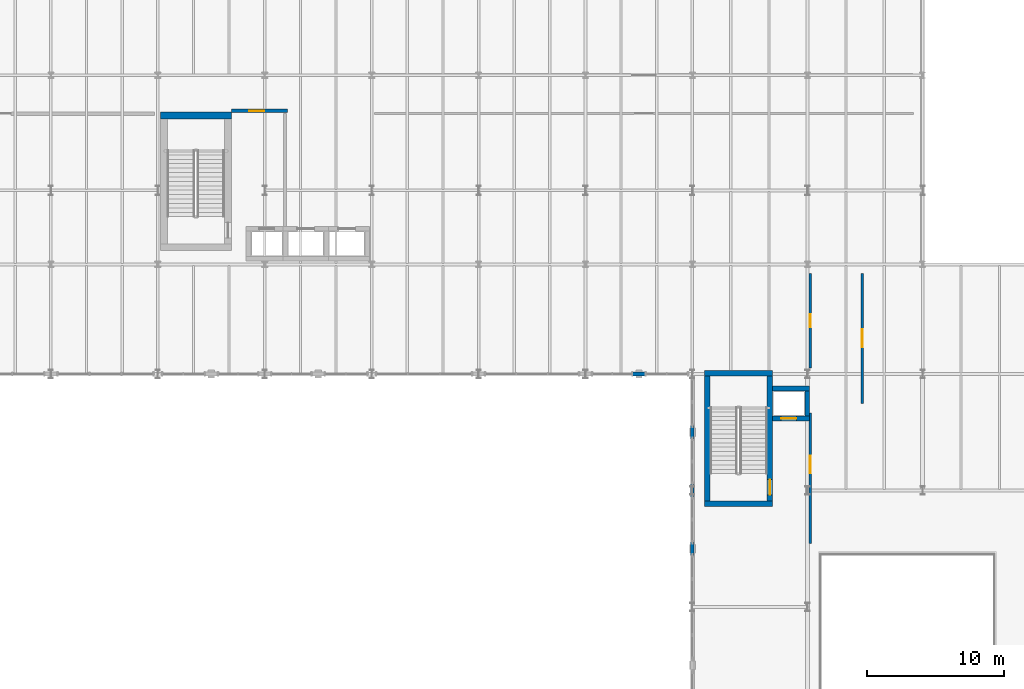
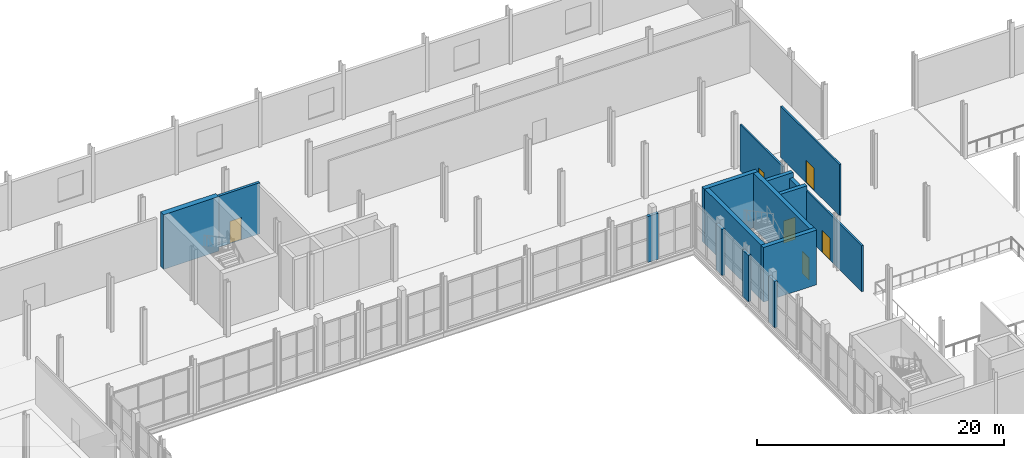
# One storey, part 56 of 78: 16 walls, 6 doors, 6 openings.
"""IFC4 building model written with IfcOpenShell, lengths in metres."""

from ifc_helpers import new_model, si_unit, direction, frame, frame_2d, origin, place, context, subcontext, project, spatial, rectangle, extrude, material, layer, layer_set, type_object, element, fill, save


model = new_model("IFC4")

# Units and contexts
model_context = context("Model", 3, precision=1e-05, world=origin(), true_north=direction((0.0, 1.0)))
body_context = subcontext(model_context, "Body", "Model", "MODEL_VIEW")
ifc_project = project(units=[si_unit("LENGTHUNIT", "METRE"), si_unit("AREAUNIT", "SQUARE_METRE"), si_unit("VOLUMEUNIT", "CUBIC_METRE"), si_unit("PLANEANGLEUNIT", "RADIAN"), si_unit("MASSUNIT", "GRAM", prefix="KILO")], contexts=[model_context])

# Site, building, storey
site_placement = place(None, origin())
site = spatial("IfcSite", under=ifc_project, at=site_placement, CompositionType="ELEMENT")
building_placement = place(site_placement, origin())
building = spatial("IfcBuilding", under=site, at=building_placement, Name="Sefraquen Railside Congress Hotel", CompositionType="ELEMENT")
storey_placement = place(building_placement, frame((0.0, 0.0, 6.0)))
storey = spatial("IfcBuildingStorey", under=building, at=storey_placement, Name="L01", CompositionType="ELEMENT", Elevation=6.0)

# Wall
ifc_material_1 = material(Name="Concrete C50/60", Category="concrete")
ifc_layer_1 = layer(ifc_material_1, 0.35009765625)
ifc_layer_set_1 = layer_set([ifc_layer_1], Name="Concrete C50/60")
wall_type_1 = type_object("IfcWallType", Name="TW-CW-350", PredefinedType="SHEAR", material=ifc_layer_set_1)
wall_1_placement = place(storey_placement, frame((109.06005859375, 86.945068359375, 0.0), z_axis=(0.0, 0.0, 1.0), x_axis=(1.0, 0.0, 0.0)))
element("IfcWall", 1, at=wall_1_placement, inside=storey, type_object=wall_type_1, Name="Lift PL-07 shaft wall N L01", PredefinedType="SHEAR", context=body_context, shape_type="SweptSolid", body=[
    extrude(rectangle(XDim=2.68994140625, YDim=0.35009765625, at=frame_2d((1.344970703125, 0.0))), origin(), (0.0, 0.0, 1.0), 5.050048828125),
])

# Wall, opening, door
wall_2_placement = place(storey_placement, frame((109.06005859375, 84.7548828125, 0.0), z_axis=(0.0, 0.0, 1.0), x_axis=(1.0, 0.0, 0.0)))
wall_2 = element("IfcWall", 2, at=wall_2_placement, inside=storey, type_object=wall_type_1, Name="Lift PL-07 shaft wall S L01", PredefinedType="SHEAR", context=body_context, shape_type="SweptSolid", body=[
    extrude(rectangle(XDim=2.68994140625, YDim=0.35009765625, at=frame_2d((1.344970703125, 0.0))), origin(), (0.0, 0.0, 1.0), 5.050048828125),
])
opening_1_placement = place(wall_2_placement, frame((0.6201171875, 0.0, 0.0)))
opening_1 = element("IfcOpeningElement", 3, at=opening_1_placement, cuts=wall_2, Name="Opening LD-01", PredefinedType="OPENING", context=body_context, shape_type="SweptSolid", body=[
    extrude(rectangle(XDim=1.10009765625, YDim=2.199951171875, at=frame_2d((0.550048828125, 1.10009765625))), frame((0.0, 0.18505859375, 0.0), z_axis=(0.0, -1.0, 0.0), x_axis=(1.0, 0.0, 0.0)), (0.0, 0.0, 1.0), 0.3701171875),
])
ifc_material_2 = material(Name="Brushed bronze stainless steel", Category="steel")
door_type_1 = type_object("IfcDoorType", Name="TD-LD-01", OperationType="NOTDEFINED", PredefinedType="DOOR", material=ifc_material_2)
door_1_placement = place(opening_1_placement, origin())
door_1 = element("IfcDoor", 4, at=door_1_placement, inside=storey, type_object=door_type_1, Name="Lift landing door PL-07 L01", OperationType="SLIDING_TO_LEFT", OverallHeight=2.199951171875, OverallWidth=1.10009765625, PredefinedType="DOOR", context=body_context, shape_type="SweptSolid", body=[
    extrude(rectangle(XDim=1.10009765625, YDim=2.199951171875, at=frame_2d((0.550048828125, 1.10009765625))), frame((0.0, 0.02490234375, 0.0), z_axis=(0.0, -1.0, 0.0), x_axis=(1.0, 0.0, 0.0)), (0.0, 0.0, 1.0), 0.050048828125),
])
fill(opening_1, door_1)

# Walls
wall_3_placement = place(storey_placement, frame((111.574951171875, 84.929931640625, 0.0), z_axis=(0.0, 0.0, 1.0), x_axis=(0.0, 1.0, 0.0)))
element("IfcWall", 5, at=wall_3_placement, inside=storey, type_object=wall_type_1, Name="Lift PL-07 shaft wall E L01", PredefinedType="SHEAR", context=body_context, shape_type="SweptSolid", body=[
    extrude(rectangle(XDim=1.840087890625, YDim=0.35009765625, at=frame_2d((0.919921875, 0.0))), origin(), (0.0, 0.0, 1.0), 4.550048828125),
])
ifc_layer_2 = layer(ifc_material_1, 0.39990234375)
ifc_layer_set_2 = layer_set([ifc_layer_2], Name="Concrete C50/60")
wall_type_2 = type_object("IfcWallType", Name="TW-CW-400", PredefinedType="SHEAR", material=ifc_layer_set_2)
for number, where, z_axis, x_axis, name in (
    (6, (104.10009765625, 88.06201171875, 0.0), (0.0, 0.0, 1.0), (1.0, 0.0, 0.0), "Core shear wall ST-M01 N L01"),
    (7, (104.10009765625, 78.550048828125, 0.0), (0.0, 0.0, 1.0), (1.0, 0.0, 0.0), "Core shear wall ST-M01 S L01"),
):
    element("IfcWall", number, at=place(storey_placement, frame(where, z_axis=z_axis, x_axis=x_axis)), inside=storey, type_object=wall_type_2, Name=name, PredefinedType="SHEAR", context=body_context, shape_type="SweptSolid", body=[
        extrude(rectangle(XDim=4.9599609375, YDim=0.39990234375, at=frame_2d((2.47998046875, 0.0))), origin(), (0.0, 0.0, 1.0), 5.39990234375),
    ])
wall_4_placement = place(storey_placement, frame((104.300048828125, 78.75, 0.0), z_axis=(0.0, 0.0, 1.0), x_axis=(0.0, 1.0, 0.0)))
element("IfcWall", 8, at=wall_4_placement, inside=storey, type_object=wall_type_2, Name="Core shear wall ST-M01 W L01", PredefinedType="SHEAR", context=body_context, shape_type="SweptSolid", body=[
    extrude(rectangle(XDim=9.112060546875, YDim=0.39990234375, at=frame_2d((4.55615234375, 0.0))), origin(), (0.0, 0.0, 1.0), 5.39990234375),
])

# Wall, opening, door
wall_5_placement = place(storey_placement, frame((108.860107421875, 78.75, 0.0), z_axis=(0.0, 0.0, 1.0), x_axis=(0.0, 1.0, 0.0)))
wall_5 = element("IfcWall", 9, at=wall_5_placement, inside=storey, type_object=wall_type_2, Name="Core shear wall ST-M01 E L01", PredefinedType="SHEAR", context=body_context, shape_type="SweptSolid", body=[
    extrude(rectangle(XDim=9.112060546875, YDim=0.39990234375, at=frame_2d((4.55615234375, 0.0))), origin(), (0.0, 0.0, 1.0), 5.39990234375),
])
opening_2_placement = place(wall_5_placement, frame((0.43994140625, 0.0, 0.0)))
opening_2 = element("IfcOpeningElement", 10, at=opening_2_placement, cuts=wall_5, Name="Opening FD-04", PredefinedType="OPENING", context=body_context, shape_type="SweptSolid", body=[
    extrude(rectangle(XDim=1.10009765625, YDim=2.199951171875, at=frame_2d((0.550048828125, 1.10009765625))), frame((0.0, 0.2099609375, 0.0), z_axis=(0.0, -1.0, 0.0), x_axis=(1.0, 0.0, 0.0)), (0.0, 0.0, 1.0), 0.419921875),
])
ifc_material_3 = material(Name="Fire-rated steel", Category="steel")
door_type_2 = type_object("IfcDoorType", Name="TD-FD-04", OperationType="NOTDEFINED", PredefinedType="DOOR", material=ifc_material_3)
door_2_placement = place(opening_2_placement, origin())
door_2 = element("IfcDoor", 11, at=door_2_placement, inside=storey, type_object=door_type_2, Name="Pressurized stair ST-M01 fire door L01", OperationType="SINGLE_SWING_LEFT", OverallHeight=2.199951171875, OverallWidth=1.10009765625, PredefinedType="DOOR", context=body_context, shape_type="SweptSolid", body=[
    extrude(rectangle(XDim=1.10009765625, YDim=2.199951171875, at=frame_2d((0.550048828125, 1.10009765625))), frame((0.0, 0.02490234375, 0.0), z_axis=(0.0, -1.0, 0.0), x_axis=(1.0, 0.0, 0.0)), (0.0, 0.0, 1.0), 0.050048828125),
])
fill(opening_2, door_2)

# Walls
ifc_layer_3 = layer(ifc_material_1, 0.5)
ifc_layer_set_3 = layer_set([ifc_layer_3], Name="Concrete C50/60")
wall_type_3 = type_object("IfcWallType", Name="TW-CW-500", PredefinedType="SHEAR", material=ifc_layer_set_3)
wall_6_placement = place(storey_placement, frame((64.39990234375, 106.862060546875, 0.0), z_axis=(0.0, 0.0, 1.0), x_axis=(1.0, 0.0, 0.0)))
element("IfcWall", 12, at=wall_6_placement, inside=storey, type_object=wall_type_3, Name="Core shear wall ST-H03 N L01", PredefinedType="SHEAR", context=body_context, shape_type="SweptSolid", body=[
    extrude(rectangle(XDim=5.16015625, YDim=0.5, at=frame_2d((2.580078125, 0.0))), origin(), (0.0, 0.0, 1.0), 5.39990234375),
])
ifc_material_4 = material(Name="Ochre Rabat calcarenite limestone and Concrete C40/50 backing", Category="masonry")
ifc_layer_4 = layer(ifc_material_4, 0.280029296875)
ifc_layer_set_4 = layer_set([ifc_layer_4], Name="Ochre Rabat calcarenite limestone and Concrete C40/50 backing")
wall_type_4 = type_object("IfcWallType", Name="TW-EW-280", PredefinedType="STANDARD", material=ifc_layer_set_4)
wall_7_placement = place(storey_placement, frame((98.820068359375, 88.0, 0.0), z_axis=(0.0, 0.0, 1.0), x_axis=(1.0, 0.0, 0.0)))
element("IfcWall", 13, at=wall_7_placement, inside=storey, type_object=wall_type_4, Name="Courtyard north gallery curtain wall L01-3 column pier closure 3", PredefinedType="STANDARD", context=body_context, shape_type="SweptSolid", body=[
    extrude(rectangle(XDim=0.9599609375, YDim=0.260009765625, at=frame_2d((0.47998046875, 0.0))), origin(), (0.0, 0.0, 1.0), 4.5400390625),
])
for number, where, z_axis, x_axis, name in (
    (14, (103.199951171875, 74.77001953125, 0.0), (0.0, 0.0, 1.0), (0.0, 1.0, 0.0), "Courtyard east gallery curtain wall L01 column pier closure 1"),
    (15, (103.199951171875, 79.02001953125, 0.0), (0.0, 0.0, 1.0), (0.0, 1.0, 0.0), "Courtyard east gallery curtain wall L01 column pier closure 2"),
    (16, (103.199951171875, 83.27001953125, 0.0), (0.0, 0.0, 1.0), (0.0, 1.0, 0.0), "Courtyard east gallery curtain wall L01 column pier closure 3"),
):
    element("IfcWall", number, at=place(storey_placement, frame(where, z_axis=z_axis, x_axis=x_axis)), inside=storey, type_object=wall_type_4, Name=name, PredefinedType="STANDARD", context=body_context, shape_type="SweptSolid", body=[
        extrude(rectangle(XDim=0.9599609375, YDim=0.260009765625, at=frame_2d((0.47998046875, 0.0))), origin(), (0.0, 0.0, 1.0), 4.550048828125),
    ])

# Wall, opening, door
ifc_material_5 = material(Name="Concrete C40/50", Category="concrete")
ifc_layer_5 = layer(ifc_material_5, 0.239990234375)
ifc_layer_set_5 = layer_set([ifc_layer_5], Name="Concrete C40/50")
wall_type_5 = type_object("IfcWallType", Name="TW-FW-240", PredefinedType="STANDARD", material=ifc_layer_set_5)
wall_8_placement = place(storey_placement, frame((69.56005859375, 107.199951171875, 0.0), z_axis=(0.0, 0.0, 1.0), x_axis=(1.0, 0.0, 0.0)))
wall_8 = element("IfcWall", 17, at=wall_8_placement, inside=storey, type_object=wall_type_5, Name="Firefighting Lift Lobby FFL-03 EI 120 separation wall L01", PredefinedType="STANDARD", context=body_context, shape_type="SweptSolid", body=[
    extrude(rectangle(XDim=4.099853515625, YDim=0.239990234375, at=frame_2d((2.0498046875, 0.0))), origin(), (0.0, 0.0, 1.0), 5.050048828125),
])
opening_3_placement = place(wall_8_placement, frame((1.300048828125, 0.0, 0.0)))
opening_3 = element("IfcOpeningElement", 18, at=opening_3_placement, cuts=wall_8, Name="Opening FD-04", PredefinedType="OPENING", context=body_context, shape_type="SweptSolid", body=[
    extrude(rectangle(XDim=1.10009765625, YDim=2.199951171875, at=frame_2d((0.550048828125, 1.10009765625))), frame((0.0, 0.1298828125, 0.0), z_axis=(0.0, -1.0, 0.0), x_axis=(1.0, 0.0, 0.0)), (0.0, 0.0, 1.0), 0.260009765625),
])
door_3_placement = place(opening_3_placement, origin())
door_3 = element("IfcDoor", 19, at=door_3_placement, inside=storey, type_object=door_type_2, Name="Firefighting Lift Lobby FFL-03 self-closing fire door L01", OperationType="SINGLE_SWING_LEFT", OverallHeight=2.199951171875, OverallWidth=1.10009765625, PredefinedType="DOOR", context=body_context, shape_type="SweptSolid", body=[
    extrude(rectangle(XDim=1.10009765625, YDim=2.199951171875, at=frame_2d((0.550048828125, 1.10009765625))), frame((0.0, 0.02490234375, 0.0), z_axis=(0.0, -1.0, 0.0), x_axis=(1.0, 0.0, 0.0)), (0.0, 0.0, 1.0), 0.050048828125),
])
fill(opening_3, door_3)

ifc_material_6 = material(Name="Moisture-resistant gypsum board", Category="gypsum")
ifc_layer_6 = layer(ifc_material_6, 0.159912109375)
ifc_layer_set_6 = layer_set([ifc_layer_6], Name="Moisture-resistant gypsum board")
wall_type_6 = type_object("IfcWallType", Name="TW-PW-160", PredefinedType="PARTITIONING", material=ifc_layer_set_6)
wall_9_placement = place(storey_placement, frame((111.800048828125, 75.64990234375, 0.0), z_axis=(0.0, 0.0, 1.0), x_axis=(0.0, 1.0, 0.0)))
wall_9 = element("IfcWall", 20, at=wall_9_placement, inside=storey, type_object=wall_type_6, Name="Conference Suite 05 enclosure wall", PredefinedType="PARTITIONING", context=body_context, shape_type="SweptSolid", body=[
    extrude(rectangle(XDim=9.5, YDim=0.159912109375, at=frame_2d((4.75, 0.0))), origin(), (0.0, 0.0, 1.0), 4.550048828125),
])
opening_4_placement = place(wall_9_placement, frame((5.10009765625, 0.0, 0.0)))
opening_4 = element("IfcOpeningElement", 21, at=opening_4_placement, cuts=wall_9, Name="Opening MD-02", PredefinedType="OPENING", context=body_context, shape_type="SweptSolid", body=[
    extrude(rectangle(XDim=1.300048828125, YDim=2.199951171875, at=frame_2d((0.64990234375, 1.10009765625))), frame((0.0, 0.08984375, 0.0), z_axis=(0.0, -1.0, 0.0), x_axis=(1.0, 0.0, 0.0)), (0.0, 0.0, 1.0), 0.179931640625),
])
ifc_material_7 = material(Name="Acoustic cedar veneer", Category="wood")
door_type_3 = type_object("IfcDoorType", Name="TD-MD-02", OperationType="NOTDEFINED", PredefinedType="DOOR", material=ifc_material_7)
door_4_placement = place(opening_4_placement, origin())
door_4 = element("IfcDoor", 22, at=door_4_placement, inside=storey, type_object=door_type_3, Name="Conference Suite 05 entrance door", OperationType="SINGLE_SWING_LEFT", OverallHeight=2.199951171875, OverallWidth=1.300048828125, PredefinedType="DOOR", context=body_context, shape_type="SweptSolid", body=[
    extrude(rectangle(XDim=1.300048828125, YDim=2.199951171875, at=frame_2d((0.64990234375, 1.10009765625))), frame((0.0, 0.02490234375, 0.0), z_axis=(0.0, -1.0, 0.0), x_axis=(1.0, 0.0, 0.0)), (0.0, 0.0, 1.0), 0.050048828125),
])
fill(opening_4, door_4)

wall_10_placement = place(storey_placement, frame((115.60009765625, 85.85009765625, 0.0), z_axis=(0.0, 0.0, 1.0), x_axis=(0.0, 1.0, 0.0)))
wall_10 = element("IfcWall", 23, at=wall_10_placement, inside=storey, type_object=wall_type_6, Name="Conference Suite 06 enclosure wall", PredefinedType="PARTITIONING", context=body_context, shape_type="SweptSolid", body=[
    extrude(rectangle(XDim=9.5, YDim=0.159912109375, at=frame_2d((4.75, 0.0))), origin(), (0.0, 0.0, 1.0), 5.050048828125),
])
opening_5_placement = place(wall_10_placement, frame((4.10009765625, 0.0, 0.0)))
opening_5 = element("IfcOpeningElement", 24, at=opening_5_placement, cuts=wall_10, Name="Opening MD-02", PredefinedType="OPENING", context=body_context, shape_type="SweptSolid", body=[
    extrude(rectangle(XDim=1.300048828125, YDim=2.199951171875, at=frame_2d((0.64990234375, 1.10009765625))), frame((0.0, 0.08984375, 0.0), z_axis=(0.0, -1.0, 0.0), x_axis=(1.0, 0.0, 0.0)), (0.0, 0.0, 1.0), 0.179931640625),
])
door_5_placement = place(opening_5_placement, origin())
door_5 = element("IfcDoor", 25, at=door_5_placement, inside=storey, type_object=door_type_3, Name="Conference Suite 06 entrance door", OperationType="SINGLE_SWING_RIGHT", OverallHeight=2.199951171875, OverallWidth=1.300048828125, PredefinedType="DOOR", context=body_context, shape_type="SweptSolid", body=[
    extrude(rectangle(XDim=1.300048828125, YDim=2.199951171875, at=frame_2d((0.64990234375, 1.10009765625))), frame((0.0, 0.02490234375, 0.0), z_axis=(0.0, -1.0, 0.0), x_axis=(1.0, 0.0, 0.0)), (0.0, 0.0, 1.0), 0.050048828125),
])
fill(opening_5, door_5)

wall_11_placement = place(storey_placement, frame((111.800048828125, 88.449951171875, 0.0), z_axis=(0.0, 0.0, 1.0), x_axis=(0.0, 1.0, 0.0)))
wall_11 = element("IfcWall", 26, at=wall_11_placement, inside=storey, type_object=wall_type_6, Name="Conference Wing Accessible WC enclosure wall", PredefinedType="PARTITIONING", context=body_context, shape_type="SweptSolid", body=[
    extrude(rectangle(XDim=6.900146484375, YDim=0.159912109375, at=frame_2d((3.4501953125, 0.0))), origin(), (0.0, 0.0, 1.0), 4.590087890625),
])
opening_6_placement = place(wall_11_placement, frame((2.97998046875, 0.0, 0.0)))
opening_6 = element("IfcOpeningElement", 27, at=opening_6_placement, cuts=wall_11, Name="Opening ID-01", PredefinedType="OPENING", context=body_context, shape_type="SweptSolid", body=[
    extrude(rectangle(XDim=0.93994140625, YDim=2.14990234375, at=frame_2d((0.469970703125, 1.074951171875))), frame((0.0, 0.08984375, 0.0), z_axis=(0.0, -1.0, 0.0), x_axis=(1.0, 0.0, 0.0)), (0.0, 0.0, 1.0), 0.179931640625),
])
ifc_material_8 = material(Name="Lacquered cedar joinery", Category="wood")
door_type_4 = type_object("IfcDoorType", Name="TD-ID-01", OperationType="NOTDEFINED", PredefinedType="DOOR", material=ifc_material_8)
door_6_placement = place(opening_6_placement, origin())
door_6 = element("IfcDoor", 28, at=door_6_placement, inside=storey, type_object=door_type_4, Name="Conference Wing Accessible WC entrance door", OperationType="SINGLE_SWING_LEFT", OverallHeight=2.14990234375, OverallWidth=0.93994140625, PredefinedType="DOOR", context=body_context, shape_type="SweptSolid", body=[
    extrude(rectangle(XDim=0.93994140625, YDim=2.14990234375, at=frame_2d((0.469970703125, 1.074951171875))), frame((0.0, 0.02490234375, 0.0), z_axis=(0.0, -1.0, 0.0), x_axis=(1.0, 0.0, 0.0)), (0.0, 0.0, 1.0), 0.050048828125),
])
fill(opening_6, door_6)

save(model, "model.ifc")
